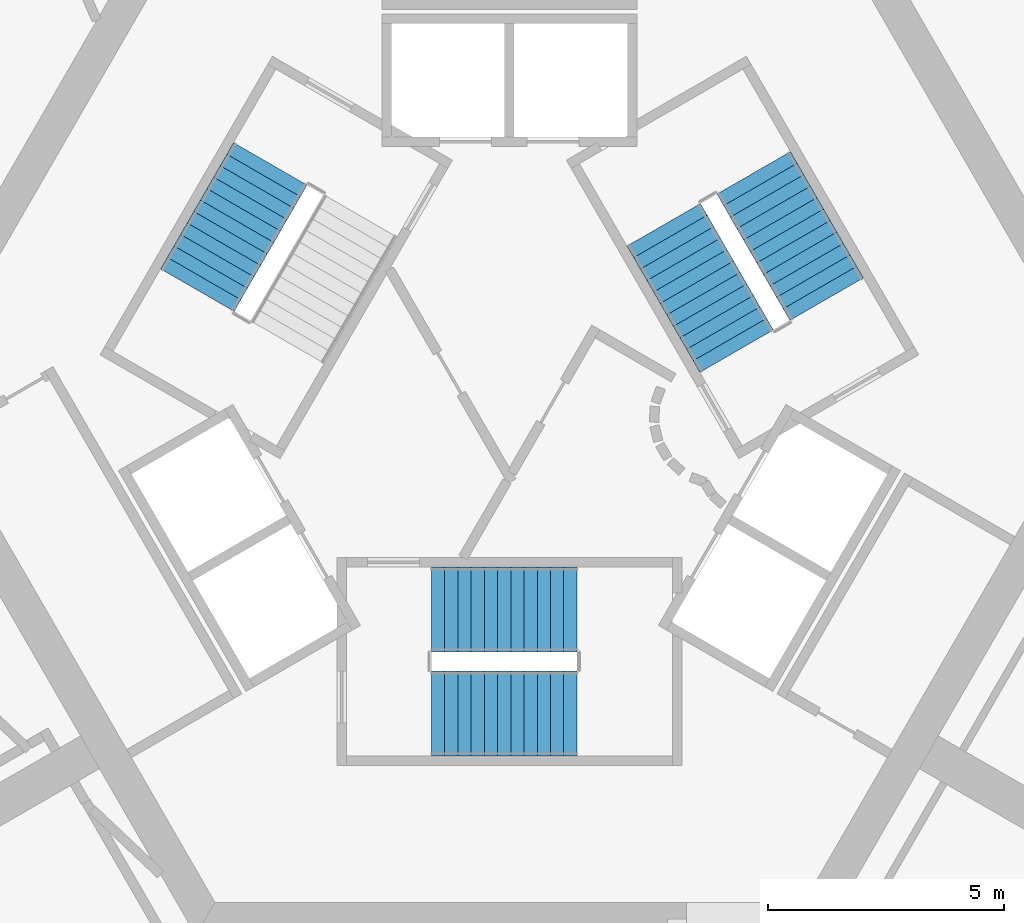
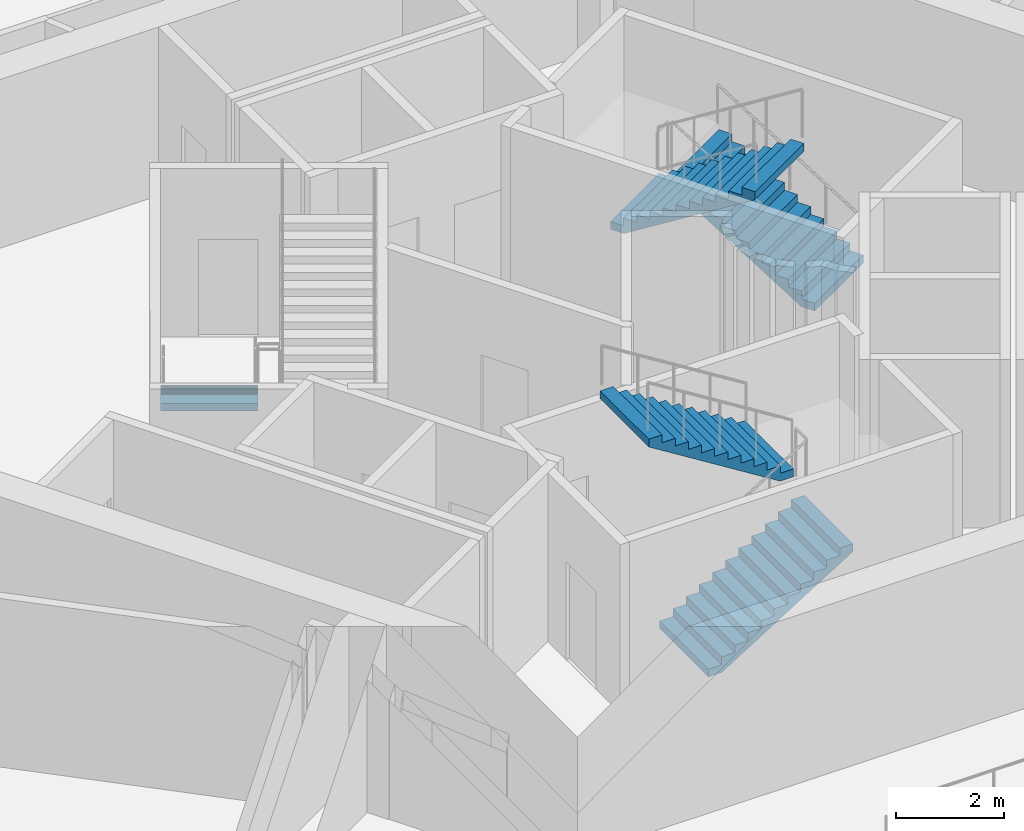
# One storey, part 10 of 13: 5 stair flights, 3 elements without a shape of their own.
"""IFC4 building model written with IfcOpenShell, lengths in metres."""

import ifcopenshell
import ifcopenshell.guid

model = None  # the IFC model being written
_history = None  # IfcOwnerHistory: only IFC2X3 demands one
_inside = {}  # id of a spatial element -> (the spatial element, [elements in it])
_under = {}  # id of a project, library or spatial element -> (it, [spatial elements below it])
_declared = {}  # id of a project -> (the project, [libraries it declares])
_typed = {}  # id of a type object -> (the type object, [elements of that type])
_made_of = {}  # id of a material, layer set ... -> (it, [elements and type objects made of it])


def new_model(schema):
    """Start an empty IFC model of exactly this schema.

    Asked for "IFC4X3", IfcOpenShell would pick the latest addendum, in which some entities
    have other attributes; the version numbers below select the first issue.
    IFC2X3 requires an IfcOwnerHistory on every rooted entity: one is made here for all.
    """
    global model, _history
    if schema == "IFC4X3":
        model = ifcopenshell.file(schema_version=(4, 3, 0, 0))
    else:
        model = ifcopenshell.file(schema=schema)
    _inside.clear()
    _under.clear()
    _declared.clear()
    _typed.clear()
    _made_of.clear()
    _history = None
    if model.schema == "IFC2X3":
        org = make("IfcOrganization", Name="unknown")
        user = make(
            "IfcPersonAndOrganization",
            ThePerson=make("IfcPerson", FamilyName="unknown"),
            TheOrganization=org,
        )
        app = make(
            "IfcApplication",
            ApplicationDeveloper=org,
            Version="unknown",
            ApplicationFullName="unknown",
            ApplicationIdentifier="unknown",
        )
        _history = make(
            "IfcOwnerHistory",
            OwningUser=user,
            OwningApplication=app,
            ChangeAction="ADDED",
            CreationDate=0,
        )
    return model


def make(cls, **values):
    """One entity of the class cls with the attributes given. An attribute that is None is left unset."""
    return model.create_entity(
        cls, **{name: value for name, value in values.items() if value is not None}
    )


def rooted(cls, **values):
    """An entity with a GlobalId (a new one), such as an element, a storey or a relation."""
    return make(cls, GlobalId=ifcopenshell.guid.new(), OwnerHistory=_history, **values)


def si_unit(unit_type, name, prefix=None):
    """IfcSIUnit, for example si_unit("LENGTHUNIT", "METRE", prefix="MILLI")."""
    return make("IfcSIUnit", UnitType=unit_type, Prefix=prefix, Name=name)


def assignment(units):
    """IfcUnitAssignment: the units of a project."""
    return None if units is None else make("IfcUnitAssignment", Units=units)


def point(xyz):
    """IfcCartesianPoint."""
    return None if xyz is None else make("IfcCartesianPoint", Coordinates=xyz)


def direction(xyz):
    """IfcDirection."""
    return None if xyz is None else make("IfcDirection", DirectionRatios=xyz)


def frame(location, z_axis=None, x_axis=None):
    """IfcAxis2Placement3D, a coordinate frame: its origin and axes. An axis left out is left unset."""
    return make(
        "IfcAxis2Placement3D",
        Location=point(location),
        Axis=direction(z_axis),
        RefDirection=direction(x_axis),
    )


def origin():
    """The frame at (0, 0, 0) with its axes left unset."""
    return frame((0.0, 0.0, 0.0))


def place(relative_to, where):
    """IfcLocalPlacement: puts the frame where relative to a parent placement (None: the world)."""
    return make(
        "IfcLocalPlacement", PlacementRelTo=relative_to, RelativePlacement=where
    )


def context(
    kind, dimensions, precision=None, world=None, true_north=None, identifier=None
):
    """IfcGeometricRepresentationContext, for example the 3D "Model" context."""
    return make(
        "IfcGeometricRepresentationContext",
        ContextIdentifier=identifier,
        ContextType=kind,
        CoordinateSpaceDimension=dimensions,
        Precision=precision,
        WorldCoordinateSystem=world,
        TrueNorth=true_north,
    )


def subcontext(parent, identifier, kind, view, scale=None):
    """IfcGeometricRepresentationSubContext, for example "Body" below "Model"."""
    return make(
        "IfcGeometricRepresentationSubContext",
        ContextIdentifier=identifier,
        ContextType=kind,
        ParentContext=parent,
        TargetScale=scale,
        TargetView=view,
    )


def project(units=None, contexts=None):
    """IfcProject with its units and contexts."""
    return rooted(
        "IfcProject",
        Name="project",
        RepresentationContexts=contexts,
        UnitsInContext=assignment(units),
    )


def spatial(cls, under=None, at=None, **own):
    """A site, building, storey or space (cls), placed at a placement, below another one or the project."""
    s = rooted(cls, ObjectPlacement=at, **own)
    if under is not None:
        _under.setdefault(under.id(), (under, []))[1].append(s)
    return s


def polyline(points):
    """IfcPolyline through the points."""
    return make("IfcPolyline", Points=[point(p) for p in points])


def outline(outer, holes=None, kind="AREA"):
    """IfcArbitraryClosedProfileDef: a profile drawn as a closed curve; with holes, ...WithVoids."""
    if holes is None:
        return make("IfcArbitraryClosedProfileDef", ProfileType=kind, OuterCurve=outer)
    return make(
        "IfcArbitraryProfileDefWithVoids",
        ProfileType=kind,
        OuterCurve=outer,
        InnerCurves=holes,
    )


def extrude(swept, where, along, depth):
    """IfcExtrudedAreaSolid: the profile swept, set in the frame where, extruded along a direction by depth."""
    return make(
        "IfcExtrudedAreaSolid",
        SweptArea=swept,
        Position=where,
        ExtrudedDirection=direction(along),
        Depth=depth,
    )


def shape(context_of_items, identifier, shape_type, items):
    """IfcShapeRepresentation: the items that make up one representation, for example the "Body"."""
    return make(
        "IfcShapeRepresentation",
        ContextOfItems=context_of_items,
        RepresentationIdentifier=identifier,
        RepresentationType=shape_type,
        Items=items,
    )


def material(Name=None, Category=None):
    """IfcMaterial."""
    return make("IfcMaterial", Name=Name, Category=Category)


def made_of(thing, what):
    """Note that an element or type object is made of a material, layer set ...; save() writes the relation."""
    if what is not None:
        _made_of.setdefault(what.id(), (what, []))[1].append(thing)
    return thing


def type_object(cls, material=None, **own):
    """A type object (cls), such as IfcWallType, which elements share."""
    return made_of(rooted(cls, **own), material)


def element(
    cls,
    number,
    at=None,
    inside=None,
    cuts=None,
    type_object=None,
    material=None,
    context=None,
    identifier="Body",
    shape_type=None,
    held_by="IfcProductDefinitionShape",
    body=None,
    shapes=None,
    **own,
):
    """One element of the class cls, such as IfcWall. Its Tag is "e" and its number.

    at: its placement. inside: the storey or other place that contains it. cuts: it is an
    opening in that element (IfcRelVoidsElement). A single representation is given by context,
    identifier, shape_type and body (its items); several are given by shapes. held_by: the class
    of the entity that holds the representations. save() writes the other relations.
    """
    e = rooted(cls, Tag="e%d" % number, ObjectPlacement=at, **own)
    if body is not None:
        shapes = [shape(context, identifier, shape_type, body)]
    if shapes is not None:
        e.Representation = make(held_by, Representations=shapes)
    if inside is not None:
        _inside.setdefault(inside.id(), (inside, []))[1].append(e)
    if cuts is not None:
        rooted(
            "IfcRelVoidsElement", RelatingBuildingElement=cuts, RelatedOpeningElement=e
        )
    if type_object is not None:
        _typed.setdefault(type_object.id(), (type_object, []))[1].append(e)
    return made_of(e, material)


def aggregate(whole, parts):
    """IfcRelAggregates: a whole, such as a stair, and the parts it consists of."""
    return rooted("IfcRelAggregates", RelatingObject=whole, RelatedObjects=parts)


def save(model, path):
    """Write the relations noted so far, then the file.

    IfcRelAggregates (storeys below a building ...), IfcRelContainedInSpatialStructure (elements
    in a storey), IfcRelDefinesByType, IfcRelAssociatesMaterial and IfcRelDeclares: one each for
    every whole, place, type object, material and project.
    """
    for whole, parts in _under.values():
        aggregate(whole, parts)
    for where, things in _inside.values():
        rooted(
            "IfcRelContainedInSpatialStructure",
            RelatedElements=things,
            RelatingStructure=where,
        )
    for kind, things in _typed.values():
        rooted("IfcRelDefinesByType", RelatedObjects=things, RelatingType=kind)
    for what, things in _made_of.values():
        rooted("IfcRelAssociatesMaterial", RelatedObjects=things, RelatingMaterial=what)
    for by, libraries in _declared.values():
        rooted("IfcRelDeclares", RelatingContext=by, RelatedDefinitions=libraries)
    model.write(path)


model = new_model("IFC4")

# Units and contexts
model_context = context("Model", 3, precision=1e-05, world=origin(), true_north=direction((0.0, 1.0)))
body_context = subcontext(model_context, "Body", "Model", "MODEL_VIEW")
ifc_project = project(units=[si_unit("LENGTHUNIT", "METRE"), si_unit("AREAUNIT", "SQUARE_METRE"), si_unit("VOLUMEUNIT", "CUBIC_METRE"), si_unit("PLANEANGLEUNIT", "RADIAN"), si_unit("MASSUNIT", "GRAM", prefix="KILO")], contexts=[model_context])

# Site, building, storey
site_placement = place(None, origin())
site = spatial("IfcSite", under=ifc_project, at=site_placement, CompositionType="ELEMENT")
building_placement = place(site_placement, origin())
building = spatial("IfcBuilding", under=site, at=building_placement, Name="Entoto Arch Interchange Tower", CompositionType="ELEMENT")
storey_placement = place(building_placement, frame((0.0, 0.0, 202.39990234375)))
storey = spatial("IfcBuildingStorey", under=building, at=storey_placement, Name="L45", CompositionType="ELEMENT", Elevation=202.39990234375)

# Stair, stair flights
ifc_material = material(Name="Concrete C40/50", Category="concrete")
stair_type = type_object("IfcStairType", Name="EXIT STAIR RC 1800", PredefinedType="HALF_TURN_STAIR", material=ifc_material)
stair_1_placement = place(storey_placement, origin())
stair_1 = element("IfcStair", 1, at=stair_1_placement, inside=storey, type_object=stair_type, Name="L45 Exit stair S", PredefinedType="HALF_TURN_STAIR")
stair_flight_type = type_object("IfcStairFlightType", Name="EXIT STAIR FLIGHT RC 1800", PredefinedType="STRAIGHT", material=ifc_material)
stair_flight_1_placement = place(storey_placement, frame((-1.64990234375, -4.300048828125, 0.0), z_axis=(0.0, 0.0, 1.0), x_axis=(1.0, 0.0, 0.0)))
stair_flight_1 = element("IfcStairFlight", 2, at=stair_flight_1_placement, type_object=stair_flight_type, Name="ST-S flight 1", NumberOfRisers=12, NumberOfTreads=11, PredefinedType="STRAIGHT", RiserHeight=0.175, TreadLength=0.28, context=body_context, shape_type="SweptSolid", body=[
    extrude(outline(polyline([(-0.0029296875, 0.0), (-0.0029296875, 0.175048828125), (0.280029296875, 0.175048828125), (0.280029296875, 0.35009765625), (0.56005859375, 0.35009765625), (0.56005859375, 0.52490234375), (0.840087890625, 0.52490234375), (0.840087890625, 0.699951171875), (1.1201171875, 0.699951171875), (1.1201171875, 0.875), (1.39990234375, 0.875), (1.39990234375, 1.050048828125), (1.679931640625, 1.050048828125), (1.679931640625, 1.22509765625), (1.9599609375, 1.22509765625), (1.9599609375, 1.39990234375), (2.239990234375, 1.39990234375), (2.239990234375, 1.574951171875), (2.52001953125, 1.574951171875), (2.52001953125, 1.75), (2.800048828125, 1.75), (2.800048828125, 1.925048828125), (3.080078125, 1.925048828125), (3.0830078125, 1.925048828125), (3.0830078125, 1.75), (0.28271484375, 0.0), (-0.0029296875, 0.0)])), frame((0.0, 0.89990234375, 0.0), z_axis=(0.0, -1.0, 0.0), x_axis=(1.0, 0.0, 0.0)), (0.0, 0.0, 1.0), 1.800048828125),
])
stair_flight_2_placement = place(storey_placement, frame((1.429931640625, -2.10009765625, 2.10009765625), z_axis=(0.0, 0.0, 1.0), x_axis=(-1.0, 0.0, 0.0)))
stair_flight_2 = element("IfcStairFlight", 3, at=stair_flight_2_placement, type_object=stair_flight_type, Name="ST-S flight 2", NumberOfRisers=12, NumberOfTreads=11, PredefinedType="STRAIGHT", RiserHeight=0.175, TreadLength=0.28, context=body_context, shape_type="SweptSolid", body=[
    extrude(outline(polyline([(-0.0029296875, 0.0), (-0.0029296875, 0.175048828125), (0.280029296875, 0.175048828125), (0.280029296875, 0.35009765625), (0.56005859375, 0.35009765625), (0.56005859375, 0.52490234375), (0.840087890625, 0.52490234375), (0.840087890625, 0.699951171875), (1.1201171875, 0.699951171875), (1.1201171875, 0.875), (1.39990234375, 0.875), (1.39990234375, 1.050048828125), (1.679931640625, 1.050048828125), (1.679931640625, 1.22509765625), (1.9599609375, 1.22509765625), (1.9599609375, 1.39990234375), (2.239990234375, 1.39990234375), (2.239990234375, 1.574951171875), (2.52001953125, 1.574951171875), (2.52001953125, 1.75), (2.800048828125, 1.75), (2.800048828125, 1.925048828125), (3.080078125, 1.925048828125), (3.0830078125, 1.925048828125), (3.0830078125, 1.75), (0.28271484375, 0.0), (-0.0029296875, 0.0)])), frame((0.0, 0.89990234375, 0.0), z_axis=(0.0, -1.0, 0.0), x_axis=(1.0, 0.0, 0.0)), (0.0, 0.0, 1.0), 1.800048828125),
])
aggregate(stair_1, [stair_flight_1, stair_flight_2])

stair_2_placement = place(storey_placement, origin())
stair_2 = element("IfcStair", 4, at=stair_2_placement, inside=storey, type_object=stair_type, Name="L45 Exit stair NE", PredefinedType="HALF_TURN_STAIR")
stair_flight_3_placement = place(storey_placement, frame((6.7138671875, 4.470947265625, 0.0), z_axis=(0.0, 0.0, 1.0), x_axis=(-0.5, 0.866025403784, 0.0)))
stair_flight_3 = element("IfcStairFlight", 5, at=stair_flight_3_placement, type_object=stair_flight_type, Name="ST-NE flight 1", NumberOfRisers=12, NumberOfTreads=11, PredefinedType="STRAIGHT", RiserHeight=0.175, TreadLength=0.28, context=body_context, shape_type="SweptSolid", body=[
    extrude(outline(polyline([(-0.0029296875, 0.0), (-0.0029296875, 0.175048828125), (0.280029296875, 0.175048828125), (0.280029296875, 0.35009765625), (0.56005859375, 0.35009765625), (0.56005859375, 0.52490234375), (0.840087890625, 0.52490234375), (0.840087890625, 0.699951171875), (1.1201171875, 0.699951171875), (1.1201171875, 0.875), (1.39990234375, 0.875), (1.39990234375, 1.050048828125), (1.679931640625, 1.050048828125), (1.679931640625, 1.22509765625), (1.9599609375, 1.22509765625), (1.9599609375, 1.39990234375), (2.239990234375, 1.39990234375), (2.239990234375, 1.574951171875), (2.52001953125, 1.574951171875), (2.52001953125, 1.75), (2.800048828125, 1.75), (2.800048828125, 1.925048828125), (3.080078125, 1.925048828125), (3.0830078125, 1.925048828125), (3.0830078125, 1.75), (0.28271484375, 0.0), (-0.0029296875, 0.0)])), frame((0.0, 0.89990234375, 0.0), z_axis=(0.0, -1.0, 0.0), x_axis=(1.0, 0.0, 0.0)), (0.0, 0.0, 1.0), 1.800048828125),
])
stair_flight_4_placement = place(storey_placement, frame((3.268798828125, 6.038330078125, 2.10009765625), z_axis=(0.0, 0.0, 1.0), x_axis=(0.5, -0.866025403784, 0.0)))
stair_flight_4 = element("IfcStairFlight", 6, at=stair_flight_4_placement, type_object=stair_flight_type, Name="ST-NE flight 2", NumberOfRisers=12, NumberOfTreads=11, PredefinedType="STRAIGHT", RiserHeight=0.175, TreadLength=0.28, context=body_context, shape_type="SweptSolid", body=[
    extrude(outline(polyline([(-0.0029296875, 0.0), (-0.0029296875, 0.175048828125), (0.280029296875, 0.175048828125), (0.280029296875, 0.35009765625), (0.56005859375, 0.35009765625), (0.56005859375, 0.52490234375), (0.840087890625, 0.52490234375), (0.840087890625, 0.699951171875), (1.1201171875, 0.699951171875), (1.1201171875, 0.875), (1.39990234375, 0.875), (1.39990234375, 1.050048828125), (1.679931640625, 1.050048828125), (1.679931640625, 1.22509765625), (1.9599609375, 1.22509765625), (1.9599609375, 1.39990234375), (2.239990234375, 1.39990234375), (2.239990234375, 1.574951171875), (2.52001953125, 1.574951171875), (2.52001953125, 1.75), (2.800048828125, 1.75), (2.800048828125, 1.925048828125), (3.080078125, 1.925048828125), (3.0830078125, 1.925048828125), (3.0830078125, 1.75), (0.28271484375, 0.0), (-0.0029296875, 0.0)])), frame((0.0, 0.89990234375, 0.0), z_axis=(0.0, -1.0, 0.0), x_axis=(1.0, 0.0, 0.0)), (0.0, 0.0, 1.0), 1.800048828125),
])
aggregate(stair_2, [stair_flight_3, stair_flight_4])

# Stair, stair flight
stair_3_placement = place(storey_placement, origin())
stair_3 = element("IfcStair", 7, at=stair_3_placement, inside=storey, type_object=stair_type, Name="L45 Exit stair NW", PredefinedType="HALF_TURN_STAIR")
stair_flight_5_placement = place(storey_placement, frame((-5.06396484375, 7.328857421875, 0.0), z_axis=(0.0, 0.0, 1.0), x_axis=(-0.5, -0.866025403784, 0.0)))
stair_flight_5 = element("IfcStairFlight", 8, at=stair_flight_5_placement, type_object=stair_flight_type, Name="ST-NW flight 1", NumberOfRisers=12, NumberOfTreads=11, PredefinedType="STRAIGHT", RiserHeight=0.175, TreadLength=0.28, context=body_context, shape_type="SweptSolid", body=[
    extrude(outline(polyline([(-0.0029296875, 0.0), (-0.0029296875, 0.175048828125), (0.280029296875, 0.175048828125), (0.280029296875, 0.35009765625), (0.56005859375, 0.35009765625), (0.56005859375, 0.52490234375), (0.840087890625, 0.52490234375), (0.840087890625, 0.699951171875), (1.1201171875, 0.699951171875), (1.1201171875, 0.875), (1.39990234375, 0.875), (1.39990234375, 1.050048828125), (1.679931640625, 1.050048828125), (1.679931640625, 1.22509765625), (1.9599609375, 1.22509765625), (1.9599609375, 1.39990234375), (2.239990234375, 1.39990234375), (2.239990234375, 1.574951171875), (2.52001953125, 1.574951171875), (2.52001953125, 1.75), (2.800048828125, 1.75), (2.800048828125, 1.925048828125), (3.080078125, 1.925048828125), (3.0830078125, 1.925048828125), (3.0830078125, 1.75), (0.28271484375, 0.0), (-0.0029296875, 0.0)])), frame((0.0, 0.89990234375, 0.0), z_axis=(0.0, -1.0, 0.0), x_axis=(1.0, 0.0, 0.0)), (0.0, 0.0, 1.0), 1.800048828125),
])
aggregate(stair_3, [stair_flight_5])

save(model, "model.ifc")
